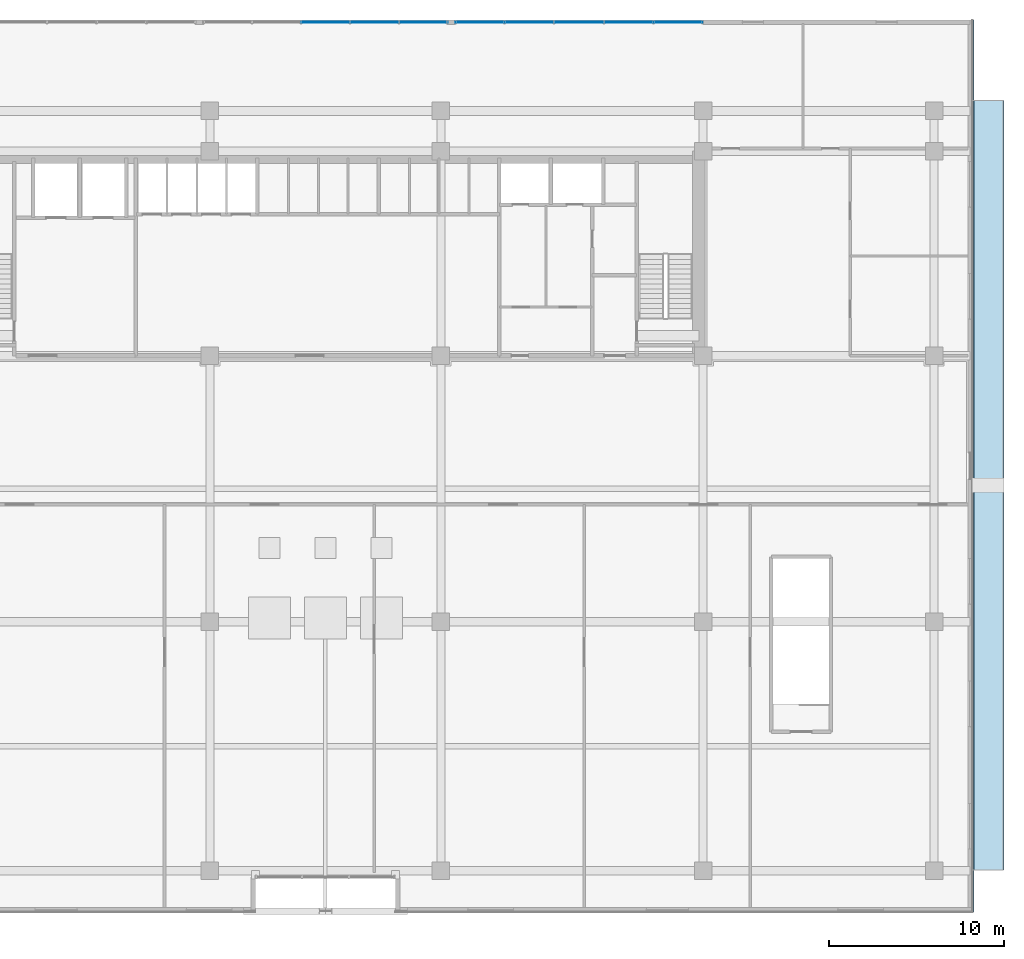
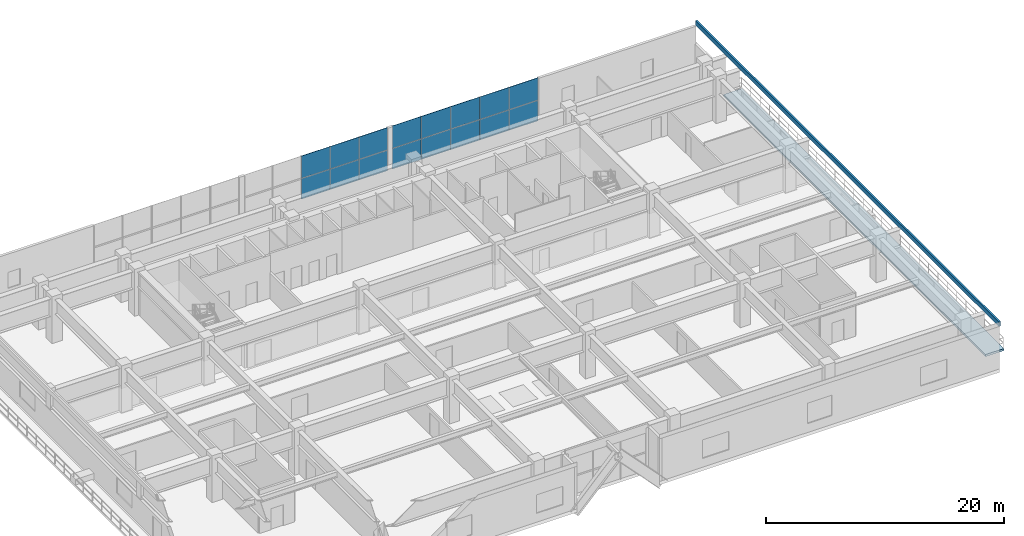
# One storey, part 9 of 17: 17 plates, 1 slab, 2 elements without a shape of their own.
"""IFC4 building model written with IfcOpenShell, lengths in metres."""

from ifc_helpers import new_model, si_unit, direction, frame, origin, origin_2d, place, context, subcontext, project, spatial, polyline, rectangle, outline, extrude, source, transform, mapped, material, layer, layer_set, type_object, element, aggregate, save


model = new_model("IFC4")

# Units and contexts
model_context = context("Model", 3, precision=1e-05, world=origin(), true_north=direction((0.0, 1.0)))
body_context = subcontext(model_context, "Body", "Model", "MODEL_VIEW")
ifc_project = project(units=[si_unit("LENGTHUNIT", "METRE"), si_unit("AREAUNIT", "SQUARE_METRE"), si_unit("VOLUMEUNIT", "CUBIC_METRE"), si_unit("PLANEANGLEUNIT", "RADIAN"), si_unit("MASSUNIT", "GRAM", prefix="KILO")], contexts=[model_context])

# Site, building, storey
site_placement = place(None, origin())
site = spatial("IfcSite", under=ifc_project, at=site_placement, CompositionType="ELEMENT")
building_placement = place(site_placement, origin())
building = spatial("IfcBuilding", under=site, at=building_placement, Name="Trelvane Seafront Commons", CompositionType="ELEMENT")
storey_placement = place(building_placement, frame((0.0, 0.0, 18.699951171875)))
storey = spatial("IfcBuildingStorey", under=building, at=storey_placement, Name="L04", CompositionType="ELEMENT", Elevation=18.699951171875)

# Slab
ifc_material_1 = material(Name="Concrete C40/50", Category="concrete")
ifc_layer_1 = layer(ifc_material_1, 0.2099609375, Name="ARCH-TERR-210")
ifc_layer_set_1 = layer_set([ifc_layer_1], Name="Concrete C40/50")
slab_type = type_object("IfcSlabType", Name="ARCH-TERR-210", PredefinedType="FLOOR", material=ifc_layer_set_1)
slab_placement = place(storey_placement, frame((0.0, 0.0, -0.2099609375)))
element("IfcSlab", 1, at=slab_placement, inside=storey, type_object=slab_type, Name="L04 Podium E Planted Roof Terrace Deck", PredefinedType="FLOOR", context=body_context, shape_type="SweptSolid", body=[
    extrude(outline(polyline([(74.199951171875, 4.0), (76.0, 4.0), (76.0, 48.0), (74.199951171875, 48.0), (74.199951171875, 4.0)])), origin(), (0.0, 0.0, 1.0), 0.2099609375),
])

# Curtain wall, plates
ifc_material_2 = material(Name="Anodised pale-silver aluminium", Category="aluminium")
curtain_wall_type = type_object("IfcCurtainWallType", Name="ARCH-CW1-PODIUM", PredefinedType="NOTDEFINED", material=ifc_material_2)
curtain_wall_1_placement = place(storey_placement, origin())
curtain_wall_1 = element("IfcCurtainWall", 2, at=curtain_wall_1_placement, inside=storey, type_object=curtain_wall_type, Name="CW-L04-0027", PredefinedType="NOTDEFINED")
ifc_material_3 = material(Name="Low-E coastal double glazing", Category="glass")
ifc_layer_2 = layer(ifc_material_3, 0.033935546875, Name="ARCH-CW-GLAZ-34")
ifc_layer_set_2 = layer_set([ifc_layer_2], Name="Low-E coastal double glazing")
plate_type_1 = type_object("IfcPlateType", Name="ARCH-CW-GLAZ-34", PredefinedType="CURTAIN_PANEL", material=ifc_layer_set_2)
shared_shape_1 = source(origin(), body_context, "Body", "SweptSolid", [
    extrude(rectangle(XDim=2.81591796875, YDim=0.035888671875, at=origin_2d()), origin(), (0.0, 0.0, 1.0), 2.10400390625),
])
plate_1_placement = place(storey_placement, frame((46.02001953125, 52.469970703125, 0.0), z_axis=(0.0, 0.0, 1.0), x_axis=(1.0, 0.0, 0.0)))
plate_1 = element("IfcPlate", 3, at=plate_1_placement, type_object=plate_type_1, Name="CW-L04-0027-P00-1", PredefinedType="CURTAIN_PANEL", context=body_context, shape_type="MappedRepresentation", body=[
    mapped(shared_shape_1, transform((0.0, 0.0, 0.0), x_axis=(1.0, 0.0, 0.0), y_axis=(0.0, 1.0, 0.0), z_axis=(0.0, 0.0, 1.0), scale=1.0)),
])
plate_2_placement = place(storey_placement, frame((48.860107421875, 52.469970703125, 0.0), z_axis=(0.0, 0.0, 1.0), x_axis=(1.0, 0.0, 0.0)))
plate_2 = element("IfcPlate", 4, at=plate_2_placement, type_object=plate_type_1, Name="CW-L04-0027-P01-1", PredefinedType="CURTAIN_PANEL", context=body_context, shape_type="MappedRepresentation", body=[
    mapped(shared_shape_1, transform((0.0, 0.0, 0.0), x_axis=(1.0, 0.0, 0.0), y_axis=(0.0, 1.0, 0.0), z_axis=(0.0, 0.0, 1.0), scale=1.0)),
])
plate_3_placement = place(storey_placement, frame((51.699951171875, 52.469970703125, 0.0), z_axis=(0.0, 0.0, 1.0), x_axis=(1.0, 0.0, 0.0)))
plate_3 = element("IfcPlate", 5, at=plate_3_placement, type_object=plate_type_1, Name="CW-L04-0027-P02-1", PredefinedType="CURTAIN_PANEL", context=body_context, shape_type="MappedRepresentation", body=[
    mapped(shared_shape_1, transform((0.0, 0.0, 0.0), x_axis=(1.0, 0.0, 0.0), y_axis=(0.0, 1.0, 0.0), z_axis=(0.0, 0.0, 1.0), scale=1.0)),
])
plate_4_placement = place(storey_placement, frame((54.5400390625, 52.469970703125, 0.0), z_axis=(0.0, 0.0, 1.0), x_axis=(1.0, 0.0, 0.0)))
plate_4 = element("IfcPlate", 6, at=plate_4_placement, type_object=plate_type_1, Name="CW-L04-0027-P03-1", PredefinedType="CURTAIN_PANEL", context=body_context, shape_type="MappedRepresentation", body=[
    mapped(shared_shape_1, transform((0.0, 0.0, 0.0), x_axis=(1.0, 0.0, 0.0), y_axis=(0.0, 1.0, 0.0), z_axis=(0.0, 0.0, 1.0), scale=1.0)),
])
plate_5_placement = place(storey_placement, frame((57.3798828125, 52.469970703125, 0.0), z_axis=(0.0, 0.0, 1.0), x_axis=(1.0, 0.0, 0.0)))
plate_5 = element("IfcPlate", 7, at=plate_5_placement, type_object=plate_type_1, Name="CW-L04-0027-P04-1", PredefinedType="CURTAIN_PANEL", context=body_context, shape_type="MappedRepresentation", body=[
    mapped(shared_shape_1, transform((0.0, 0.0, 0.0), x_axis=(1.0, 0.0, 0.0), y_axis=(0.0, 1.0, 0.0), z_axis=(0.0, 0.0, 1.0), scale=1.0)),
])
shared_shape_2 = source(origin(), body_context, "Body", "SweptSolid", [
    extrude(rectangle(XDim=2.81591796875, YDim=0.035888671875, at=origin_2d()), origin(), (0.0, 0.0, 1.0), 2.280029296875),
])
plate_6_placement = place(storey_placement, frame((46.02001953125, 52.469970703125, 2.14013671875), z_axis=(0.0, 0.0, 1.0), x_axis=(1.0, 0.0, 0.0)))
plate_6 = element("IfcPlate", 8, at=plate_6_placement, type_object=plate_type_1, Name="CW-L04-0027-P00-2", PredefinedType="CURTAIN_PANEL", context=body_context, shape_type="MappedRepresentation", body=[
    mapped(shared_shape_2, transform((0.0, 0.0, 0.0), x_axis=(1.0, 0.0, 0.0), y_axis=(0.0, 1.0, 0.0), z_axis=(0.0, 0.0, 1.0), scale=1.0)),
])
plate_7_placement = place(storey_placement, frame((48.860107421875, 52.469970703125, 2.14013671875), z_axis=(0.0, 0.0, 1.0), x_axis=(1.0, 0.0, 0.0)))
plate_7 = element("IfcPlate", 9, at=plate_7_placement, type_object=plate_type_1, Name="CW-L04-0027-P01-2", PredefinedType="CURTAIN_PANEL", context=body_context, shape_type="MappedRepresentation", body=[
    mapped(shared_shape_2, transform((0.0, 0.0, 0.0), x_axis=(1.0, 0.0, 0.0), y_axis=(0.0, 1.0, 0.0), z_axis=(0.0, 0.0, 1.0), scale=1.0)),
])
plate_8_placement = place(storey_placement, frame((51.699951171875, 52.469970703125, 2.14013671875), z_axis=(0.0, 0.0, 1.0), x_axis=(1.0, 0.0, 0.0)))
plate_8 = element("IfcPlate", 10, at=plate_8_placement, type_object=plate_type_1, Name="CW-L04-0027-P02-2", PredefinedType="CURTAIN_PANEL", context=body_context, shape_type="MappedRepresentation", body=[
    mapped(shared_shape_2, transform((0.0, 0.0, 0.0), x_axis=(1.0, 0.0, 0.0), y_axis=(0.0, 1.0, 0.0), z_axis=(0.0, 0.0, 1.0), scale=1.0)),
])
plate_9_placement = place(storey_placement, frame((54.5400390625, 52.469970703125, 2.14013671875), z_axis=(0.0, 0.0, 1.0), x_axis=(1.0, 0.0, 0.0)))
plate_9 = element("IfcPlate", 11, at=plate_9_placement, type_object=plate_type_1, Name="CW-L04-0027-P03-2", PredefinedType="CURTAIN_PANEL", context=body_context, shape_type="MappedRepresentation", body=[
    mapped(shared_shape_2, transform((0.0, 0.0, 0.0), x_axis=(1.0, 0.0, 0.0), y_axis=(0.0, 1.0, 0.0), z_axis=(0.0, 0.0, 1.0), scale=1.0)),
])
plate_10_placement = place(storey_placement, frame((57.3798828125, 52.469970703125, 2.14013671875), z_axis=(0.0, 0.0, 1.0), x_axis=(1.0, 0.0, 0.0)))
plate_10 = element("IfcPlate", 12, at=plate_10_placement, type_object=plate_type_1, Name="CW-L04-0027-P04-2", PredefinedType="CURTAIN_PANEL", context=body_context, shape_type="MappedRepresentation", body=[
    mapped(shared_shape_2, transform((0.0, 0.0, 0.0), x_axis=(1.0, 0.0, 0.0), y_axis=(0.0, 1.0, 0.0), z_axis=(0.0, 0.0, 1.0), scale=1.0)),
])
aggregate(curtain_wall_1, [plate_1, plate_6, plate_2, plate_7, plate_3, plate_8, plate_4, plate_9, plate_5, plate_10])

curtain_wall_2_placement = place(storey_placement, origin())
curtain_wall_2 = element("IfcCurtainWall", 13, at=curtain_wall_2_placement, inside=storey, type_object=curtain_wall_type, Name="CW-L04-0026", PredefinedType="NOTDEFINED")
shared_shape_3 = source(origin(), body_context, "Body", "SweptSolid", [
    extrude(rectangle(XDim=2.77587890625, YDim=0.035888671875, at=origin_2d()), origin(), (0.0, 0.0, 1.0), 2.10400390625),
])
plate_11_placement = place(storey_placement, frame((37.199951171875, 52.469970703125, 0.0), z_axis=(0.0, 0.0, 1.0), x_axis=(1.0, 0.0, 0.0)))
plate_11 = element("IfcPlate", 14, at=plate_11_placement, type_object=plate_type_1, Name="CW-L04-0026-P02-1", PredefinedType="CURTAIN_PANEL", context=body_context, shape_type="MappedRepresentation", body=[
    mapped(shared_shape_3, transform((0.0, 0.0, 0.0), x_axis=(1.0, 0.0, 0.0), y_axis=(0.0, 1.0, 0.0), z_axis=(0.0, 0.0, 1.0), scale=1.0)),
])
plate_12_placement = place(storey_placement, frame((40.0, 52.469970703125, 0.0), z_axis=(0.0, 0.0, 1.0), x_axis=(1.0, 0.0, 0.0)))
plate_12 = element("IfcPlate", 15, at=plate_12_placement, type_object=plate_type_1, Name="CW-L04-0026-P03-1", PredefinedType="CURTAIN_PANEL", context=body_context, shape_type="MappedRepresentation", body=[
    mapped(shared_shape_3, transform((0.0, 0.0, 0.0), x_axis=(1.0, 0.0, 0.0), y_axis=(0.0, 1.0, 0.0), z_axis=(0.0, 0.0, 1.0), scale=1.0)),
])
plate_13_placement = place(storey_placement, frame((42.800048828125, 52.469970703125, 0.0), z_axis=(0.0, 0.0, 1.0), x_axis=(1.0, 0.0, 0.0)))
plate_13 = element("IfcPlate", 16, at=plate_13_placement, type_object=plate_type_1, Name="CW-L04-0026-P04-1", PredefinedType="CURTAIN_PANEL", context=body_context, shape_type="MappedRepresentation", body=[
    mapped(shared_shape_3, transform((0.0, 0.0, 0.0), x_axis=(1.0, 0.0, 0.0), y_axis=(0.0, 1.0, 0.0), z_axis=(0.0, 0.0, 1.0), scale=1.0)),
])
shared_shape_4 = source(origin(), body_context, "Body", "SweptSolid", [
    extrude(rectangle(XDim=2.77587890625, YDim=0.035888671875, at=origin_2d()), origin(), (0.0, 0.0, 1.0), 2.280029296875),
])
plate_14_placement = place(storey_placement, frame((37.199951171875, 52.469970703125, 2.14013671875), z_axis=(0.0, 0.0, 1.0), x_axis=(1.0, 0.0, 0.0)))
plate_14 = element("IfcPlate", 17, at=plate_14_placement, type_object=plate_type_1, Name="CW-L04-0026-P02-2", PredefinedType="CURTAIN_PANEL", context=body_context, shape_type="MappedRepresentation", body=[
    mapped(shared_shape_4, transform((0.0, 0.0, 0.0), x_axis=(1.0, 0.0, 0.0), y_axis=(0.0, 1.0, 0.0), z_axis=(0.0, 0.0, 1.0), scale=1.0)),
])
plate_15_placement = place(storey_placement, frame((40.0, 52.469970703125, 2.14013671875), z_axis=(0.0, 0.0, 1.0), x_axis=(1.0, 0.0, 0.0)))
plate_15 = element("IfcPlate", 18, at=plate_15_placement, type_object=plate_type_1, Name="CW-L04-0026-P03-2", PredefinedType="CURTAIN_PANEL", context=body_context, shape_type="MappedRepresentation", body=[
    mapped(shared_shape_4, transform((0.0, 0.0, 0.0), x_axis=(1.0, 0.0, 0.0), y_axis=(0.0, 1.0, 0.0), z_axis=(0.0, 0.0, 1.0), scale=1.0)),
])
plate_16_placement = place(storey_placement, frame((42.800048828125, 52.469970703125, 2.14013671875), z_axis=(0.0, 0.0, 1.0), x_axis=(1.0, 0.0, 0.0)))
plate_16 = element("IfcPlate", 19, at=plate_16_placement, type_object=plate_type_1, Name="CW-L04-0026-P04-2", PredefinedType="CURTAIN_PANEL", context=body_context, shape_type="MappedRepresentation", body=[
    mapped(shared_shape_4, transform((0.0, 0.0, 0.0), x_axis=(1.0, 0.0, 0.0), y_axis=(0.0, 1.0, 0.0), z_axis=(0.0, 0.0, 1.0), scale=1.0)),
])
aggregate(curtain_wall_2, [plate_11, plate_14, plate_12, plate_15, plate_13, plate_16])

# Plate
ifc_layer_3 = layer(ifc_material_2, 0.179931640625, Name="ARCH-PLATE-AERO")
ifc_layer_set_3 = layer_set([ifc_layer_3], Name="Anodised pale-silver aluminium")
plate_type_2 = type_object("IfcPlateType", Name="ARCH-PLATE-AERO", PredefinedType="SHEET", material=ifc_layer_set_3)
shared_shape_5 = source(origin(), body_context, "Body", "SweptSolid", [
    extrude(rectangle(XDim=51.0, YDim=0.179931640625, at=origin_2d()), origin(), (0.0, 0.0, 1.0), 0.4599609375),
])
plate_17_placement = place(storey_placement, frame((74.199951171875, 27.10009765625, 4.360107421875), z_axis=(0.0, 0.0, 1.0), x_axis=(0.0, -1.0, 0.0)))
element("IfcPlate", 20, at=plate_17_placement, inside=storey, type_object=plate_type_2, Name="AER-L04-00013", PredefinedType="SHEET", context=body_context, shape_type="MappedRepresentation", body=[
    mapped(shared_shape_5, transform((0.0, 0.0, 0.0), x_axis=(1.0, 0.0, 0.0), y_axis=(0.0, 1.0, 0.0), z_axis=(0.0, 0.0, 1.0), scale=1.0)),
])

save(model, "model.ifc")
